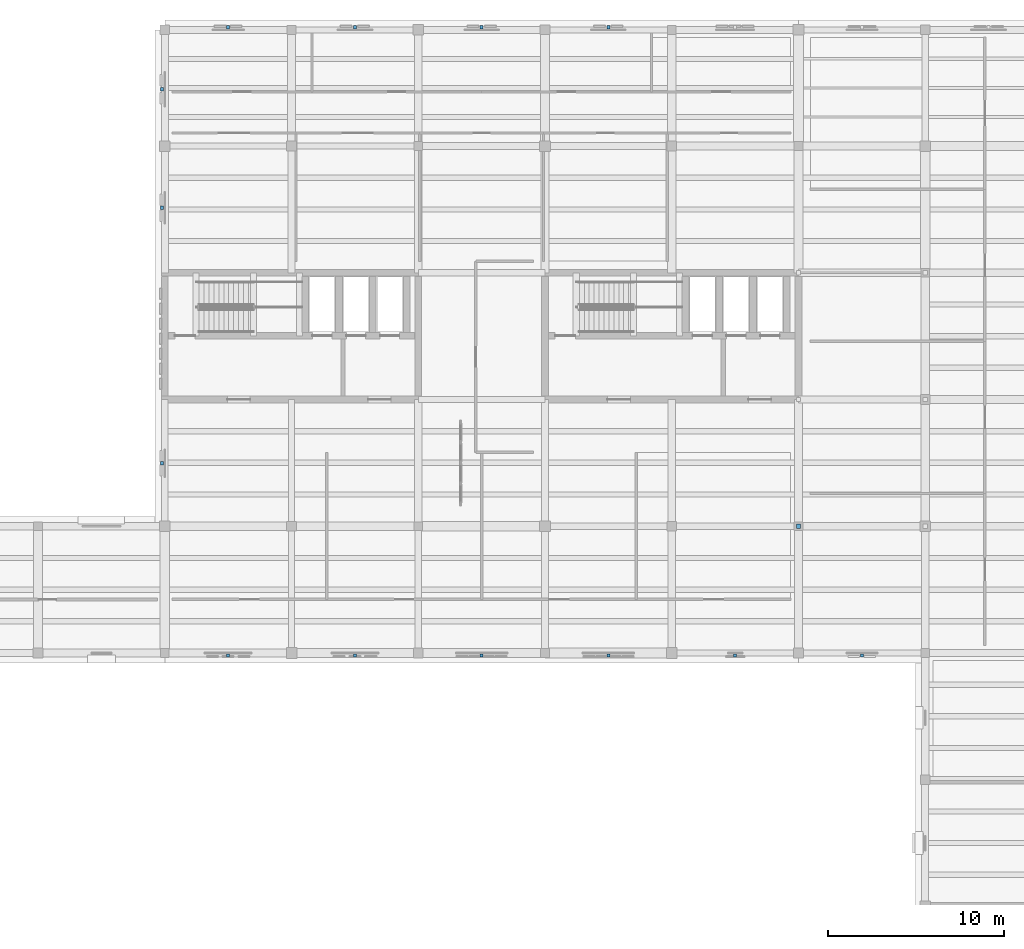
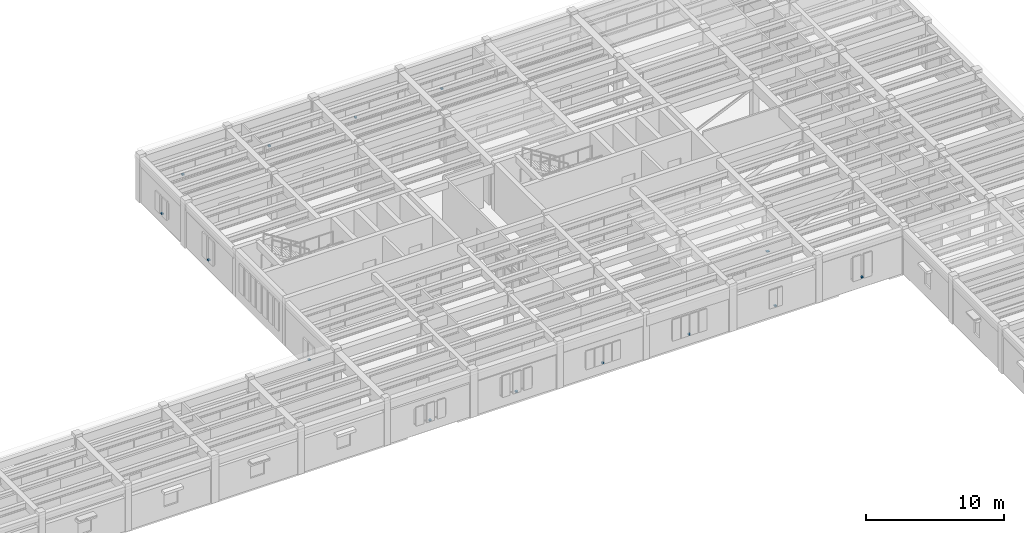
# One storey, part 21 of 27: 14 discrete accessories.
"""IFC4 building model written with IfcOpenShell, lengths in metres."""

import ifcopenshell
import ifcopenshell.guid

model = None  # the IFC model being written
_history = None  # IfcOwnerHistory: only IFC2X3 demands one
_inside = {}  # id of a spatial element -> (the spatial element, [elements in it])
_under = {}  # id of a project, library or spatial element -> (it, [spatial elements below it])
_declared = {}  # id of a project -> (the project, [libraries it declares])
_typed = {}  # id of a type object -> (the type object, [elements of that type])
_made_of = {}  # id of a material, layer set ... -> (it, [elements and type objects made of it])


def new_model(schema):
    """Start an empty IFC model of exactly this schema.

    Asked for "IFC4X3", IfcOpenShell would pick the latest addendum, in which some entities
    have other attributes; the version numbers below select the first issue.
    IFC2X3 requires an IfcOwnerHistory on every rooted entity: one is made here for all.
    """
    global model, _history
    if schema == "IFC4X3":
        model = ifcopenshell.file(schema_version=(4, 3, 0, 0))
    else:
        model = ifcopenshell.file(schema=schema)
    _inside.clear()
    _under.clear()
    _declared.clear()
    _typed.clear()
    _made_of.clear()
    _history = None
    if model.schema == "IFC2X3":
        org = make("IfcOrganization", Name="unknown")
        user = make(
            "IfcPersonAndOrganization",
            ThePerson=make("IfcPerson", FamilyName="unknown"),
            TheOrganization=org,
        )
        app = make(
            "IfcApplication",
            ApplicationDeveloper=org,
            Version="unknown",
            ApplicationFullName="unknown",
            ApplicationIdentifier="unknown",
        )
        _history = make(
            "IfcOwnerHistory",
            OwningUser=user,
            OwningApplication=app,
            ChangeAction="ADDED",
            CreationDate=0,
        )
    return model


def make(cls, **values):
    """One entity of the class cls with the attributes given. An attribute that is None is left unset."""
    return model.create_entity(
        cls, **{name: value for name, value in values.items() if value is not None}
    )


def rooted(cls, **values):
    """An entity with a GlobalId (a new one), such as an element, a storey or a relation."""
    return make(cls, GlobalId=ifcopenshell.guid.new(), OwnerHistory=_history, **values)


def si_unit(unit_type, name, prefix=None):
    """IfcSIUnit, for example si_unit("LENGTHUNIT", "METRE", prefix="MILLI")."""
    return make("IfcSIUnit", UnitType=unit_type, Prefix=prefix, Name=name)


def assignment(units):
    """IfcUnitAssignment: the units of a project."""
    return None if units is None else make("IfcUnitAssignment", Units=units)


def point(xyz):
    """IfcCartesianPoint."""
    return None if xyz is None else make("IfcCartesianPoint", Coordinates=xyz)


def direction(xyz):
    """IfcDirection."""
    return None if xyz is None else make("IfcDirection", DirectionRatios=xyz)


def frame(location, z_axis=None, x_axis=None):
    """IfcAxis2Placement3D, a coordinate frame: its origin and axes. An axis left out is left unset."""
    return make(
        "IfcAxis2Placement3D",
        Location=point(location),
        Axis=direction(z_axis),
        RefDirection=direction(x_axis),
    )


def frame_2d(location, x_axis=None):
    """IfcAxis2Placement2D, a coordinate frame in the plane: its origin and x axis."""
    return make(
        "IfcAxis2Placement2D", Location=point(location), RefDirection=direction(x_axis)
    )


def origin():
    """The frame at (0, 0, 0) with its axes left unset."""
    return frame((0.0, 0.0, 0.0))


def origin_2d():
    """The frame at (0, 0) in the plane with its x axis left unset."""
    return frame_2d((0.0, 0.0))


def place(relative_to, where):
    """IfcLocalPlacement: puts the frame where relative to a parent placement (None: the world)."""
    return make(
        "IfcLocalPlacement", PlacementRelTo=relative_to, RelativePlacement=where
    )


def context(
    kind, dimensions, precision=None, world=None, true_north=None, identifier=None
):
    """IfcGeometricRepresentationContext, for example the 3D "Model" context."""
    return make(
        "IfcGeometricRepresentationContext",
        ContextIdentifier=identifier,
        ContextType=kind,
        CoordinateSpaceDimension=dimensions,
        Precision=precision,
        WorldCoordinateSystem=world,
        TrueNorth=true_north,
    )


def subcontext(parent, identifier, kind, view, scale=None):
    """IfcGeometricRepresentationSubContext, for example "Body" below "Model"."""
    return make(
        "IfcGeometricRepresentationSubContext",
        ContextIdentifier=identifier,
        ContextType=kind,
        ParentContext=parent,
        TargetScale=scale,
        TargetView=view,
    )


def project(units=None, contexts=None):
    """IfcProject with its units and contexts."""
    return rooted(
        "IfcProject",
        Name="project",
        RepresentationContexts=contexts,
        UnitsInContext=assignment(units),
    )


def spatial(cls, under=None, at=None, **own):
    """A site, building, storey or space (cls), placed at a placement, below another one or the project."""
    s = rooted(cls, ObjectPlacement=at, **own)
    if under is not None:
        _under.setdefault(under.id(), (under, []))[1].append(s)
    return s


def profile(cls, at=None, kind="AREA", **sizes):
    """A parametric profile (cls). Its sizes go by their IFC names, for example OverallWidth=200.0."""
    return make(cls, ProfileType=kind, Position=at, **sizes)


def rectangle(**sizes):
    """IfcRectangleProfileDef."""
    return profile("IfcRectangleProfileDef", **sizes)


def extrude(swept, where, along, depth):
    """IfcExtrudedAreaSolid: the profile swept, set in the frame where, extruded along a direction by depth."""
    return make(
        "IfcExtrudedAreaSolid",
        SweptArea=swept,
        Position=where,
        ExtrudedDirection=direction(along),
        Depth=depth,
    )


def shape(context_of_items, identifier, shape_type, items):
    """IfcShapeRepresentation: the items that make up one representation, for example the "Body"."""
    return make(
        "IfcShapeRepresentation",
        ContextOfItems=context_of_items,
        RepresentationIdentifier=identifier,
        RepresentationType=shape_type,
        Items=items,
    )


def material(Name=None, Category=None):
    """IfcMaterial."""
    return make("IfcMaterial", Name=Name, Category=Category)


def made_of(thing, what):
    """Note that an element or type object is made of a material, layer set ...; save() writes the relation."""
    if what is not None:
        _made_of.setdefault(what.id(), (what, []))[1].append(thing)
    return thing


def type_object(cls, material=None, **own):
    """A type object (cls), such as IfcWallType, which elements share."""
    return made_of(rooted(cls, **own), material)


def element(
    cls,
    number,
    at=None,
    inside=None,
    cuts=None,
    type_object=None,
    material=None,
    context=None,
    identifier="Body",
    shape_type=None,
    held_by="IfcProductDefinitionShape",
    body=None,
    shapes=None,
    **own,
):
    """One element of the class cls, such as IfcWall. Its Tag is "e" and its number.

    at: its placement. inside: the storey or other place that contains it. cuts: it is an
    opening in that element (IfcRelVoidsElement). A single representation is given by context,
    identifier, shape_type and body (its items); several are given by shapes. held_by: the class
    of the entity that holds the representations. save() writes the other relations.
    """
    e = rooted(cls, Tag="e%d" % number, ObjectPlacement=at, **own)
    if body is not None:
        shapes = [shape(context, identifier, shape_type, body)]
    if shapes is not None:
        e.Representation = make(held_by, Representations=shapes)
    if inside is not None:
        _inside.setdefault(inside.id(), (inside, []))[1].append(e)
    if cuts is not None:
        rooted(
            "IfcRelVoidsElement", RelatingBuildingElement=cuts, RelatedOpeningElement=e
        )
    if type_object is not None:
        _typed.setdefault(type_object.id(), (type_object, []))[1].append(e)
    return made_of(e, material)


def aggregate(whole, parts):
    """IfcRelAggregates: a whole, such as a stair, and the parts it consists of."""
    return rooted("IfcRelAggregates", RelatingObject=whole, RelatedObjects=parts)


def save(model, path):
    """Write the relations noted so far, then the file.

    IfcRelAggregates (storeys below a building ...), IfcRelContainedInSpatialStructure (elements
    in a storey), IfcRelDefinesByType, IfcRelAssociatesMaterial and IfcRelDeclares: one each for
    every whole, place, type object, material and project.
    """
    for whole, parts in _under.values():
        aggregate(whole, parts)
    for where, things in _inside.values():
        rooted(
            "IfcRelContainedInSpatialStructure",
            RelatedElements=things,
            RelatingStructure=where,
        )
    for kind, things in _typed.values():
        rooted("IfcRelDefinesByType", RelatedObjects=things, RelatingType=kind)
    for what, things in _made_of.values():
        rooted("IfcRelAssociatesMaterial", RelatedObjects=things, RelatingMaterial=what)
    for by, libraries in _declared.values():
        rooted("IfcRelDeclares", RelatingContext=by, RelatedDefinitions=libraries)
    model.write(path)


model = new_model("IFC4")

# Units and contexts
model_context = context("Model", 3, precision=1e-05, world=origin(), true_north=direction((0.0, 1.0)))
body_context = subcontext(model_context, "Body", "Model", "MODEL_VIEW")
ifc_project = project(units=[si_unit("LENGTHUNIT", "METRE"), si_unit("AREAUNIT", "SQUARE_METRE"), si_unit("VOLUMEUNIT", "CUBIC_METRE"), si_unit("PLANEANGLEUNIT", "RADIAN"), si_unit("MASSUNIT", "GRAM", prefix="KILO")], contexts=[model_context])

# Site, building, storey
site_placement = place(None, origin())
site = spatial("IfcSite", under=ifc_project, at=site_placement, CompositionType="ELEMENT")
building_placement = place(site_placement, origin())
building = spatial("IfcBuilding", under=site, at=building_placement, Name="Mithqara Police Headquarters", CompositionType="ELEMENT")
storey_placement = place(building_placement, frame((0.0, 0.0, 18.0)))
storey = spatial("IfcBuildingStorey", under=building, at=storey_placement, Name="L04", CompositionType="ELEMENT", Elevation=18.0)

# Discrete accessories
ifc_material = material(Name="Steel S355JR", Category="steel")
discrete_accessory_type_1 = type_object("IfcDiscreteAccessoryType", Name="END CONN PLATE", PredefinedType="BRACKET", material=ifc_material)
discrete_accessory_placement = place(storey_placement, frame((144.60009765625, 85.800048828125, -0.011962890625), z_axis=(0.0, 0.0, 1.0), x_axis=(1.0, 0.0, 0.0)))
element("IfcDiscreteAccessory", 1, at=discrete_accessory_placement, inside=storey, type_object=discrete_accessory_type_1, Name="Brace End Connection Plate 53A", PredefinedType="BRACKET", context=body_context, shape_type="SweptSolid", body=[
    extrude(rectangle(XDim=0.239990234375, YDim=0.239990234375, at=origin_2d()), origin(), (0.0, 0.0, 1.0), 0.02392578125),
])
discrete_accessory_type_2 = type_object("IfcDiscreteAccessoryType", Name="SCREEN BRACKET SS", PredefinedType="BRACKET", material=ifc_material)
for number, where, z_axis, x_axis, name in (
    (2, (112.199951171875, 114.14990234375, 0.849853515625), (0.0, 0.0, 1.0), (1.0, 0.0, 0.0), "L04 Stone Screen Support Bracket 6.1"),
    (3, (119.39990234375, 114.14990234375, 0.849853515625), (0.0, 0.0, 1.0), (1.0, 0.0, 0.0), "L04 Stone Screen Support Bracket 6.2"),
    (4, (126.60009765625, 114.14990234375, 0.849853515625), (0.0, 0.0, 1.0), (1.0, 0.0, 0.0), "L04 Stone Screen Support Bracket 6.3"),
    (5, (133.800048828125, 114.14990234375, 0.849853515625), (0.0, 0.0, 1.0), (1.0, 0.0, 0.0), "L04 Stone Screen Support Bracket 6.4"),
    (6, (108.449951171875, 103.89501953125, 0.849853515625), (0.0, 0.0, 1.0), (0.0, 1.0, 0.0), "L04 Stone Screen Support Bracket 7.1"),
    (7, (108.449951171875, 110.625, 0.849853515625), (0.0, 0.0, 1.0), (0.0, 1.0, 0.0), "L04 Stone Screen Support Bracket 7.2"),
    (8, (108.449951171875, 89.3798828125, 0.849853515625), (0.0, 0.0, 1.0), (0.0, 1.0, 0.0), "L04 Stone Screen Support Bracket 7.1"),
    (9, (112.199951171875, 78.449951171875, 0.849853515625), (0.0, 0.0, 1.0), (1.0, 0.0, 0.0), "L04 Stone Screen Support Bracket 14.1"),
    (10, (119.39990234375, 78.449951171875, 0.849853515625), (0.0, 0.0, 1.0), (1.0, 0.0, 0.0), "L04 Stone Screen Support Bracket 14.2"),
    (11, (126.60009765625, 78.449951171875, 0.849853515625), (0.0, 0.0, 1.0), (1.0, 0.0, 0.0), "L04 Stone Screen Support Bracket 14.3"),
    (12, (133.800048828125, 78.449951171875, 0.849853515625), (0.0, 0.0, 1.0), (1.0, 0.0, 0.0), "L04 Stone Screen Support Bracket 14.4"),
    (13, (141.0, 78.449951171875, 0.849853515625), (0.0, 0.0, 1.0), (1.0, 0.0, 0.0), "L04 Stone Screen Support Bracket 14.5"),
    (14, (148.199951171875, 78.449951171875, 0.849853515625), (0.0, 0.0, 1.0), (1.0, 0.0, 0.0), "L04 Stone Screen Support Bracket 15.1"),
):
    element("IfcDiscreteAccessory", number, at=place(storey_placement, frame(where, z_axis=z_axis, x_axis=x_axis)), inside=storey, type_object=discrete_accessory_type_2, Name=name, PredefinedType="BRACKET", context=body_context, shape_type="SweptSolid", body=[
        extrude(rectangle(XDim=0.179931640625, YDim=0.179931640625, at=origin_2d()), origin(), (0.0, 0.0, 1.0), 0.1201171875),
    ])

save(model, "model.ifc")
